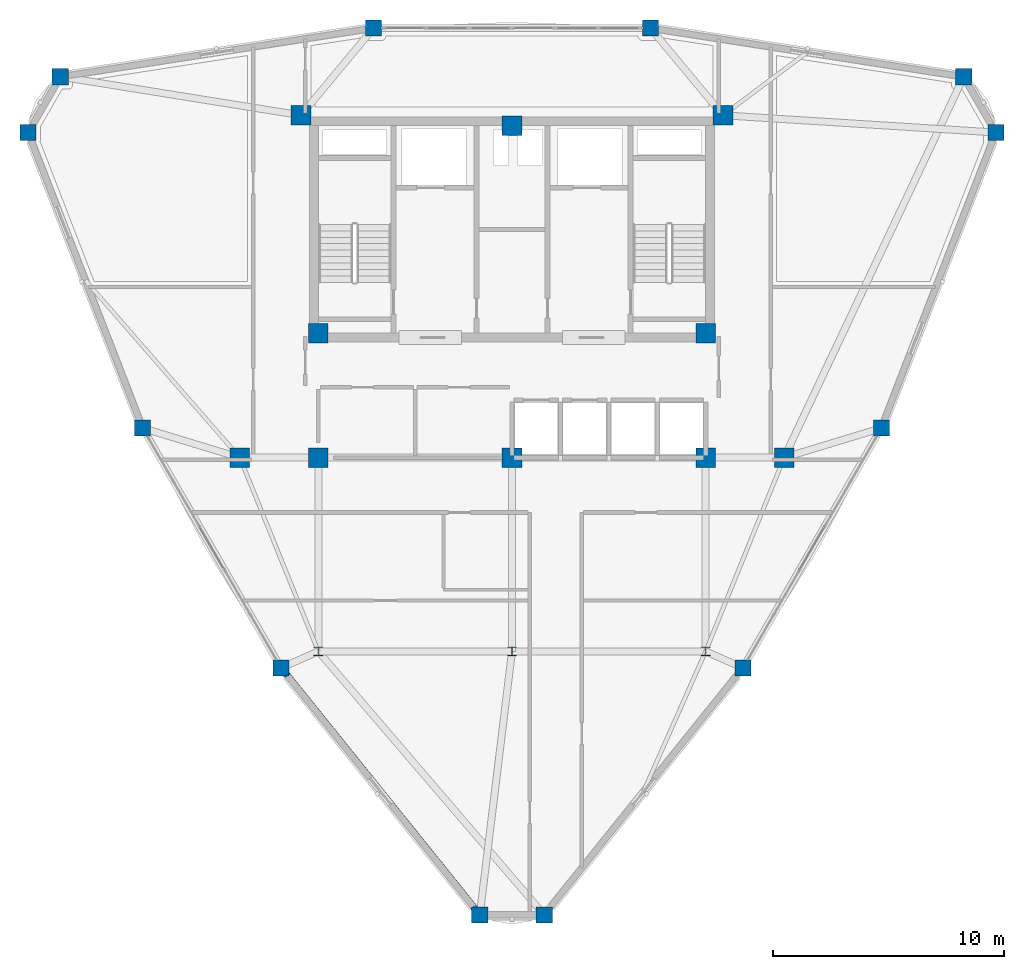
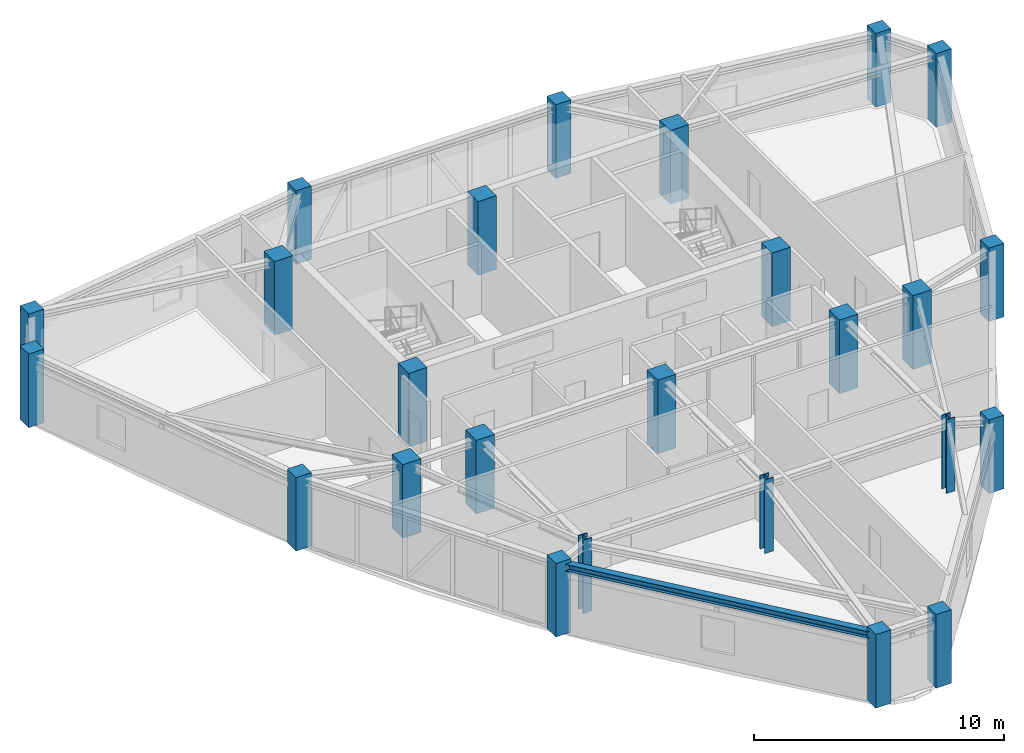
# One storey, part 1 of 15: 25 columns, 1 beam.
"""IFC4 building model written with IfcOpenShell, lengths in metres."""

from ifc_helpers import new_model, si_unit, derived_unit, direction, frame, origin, origin_2d, place, context, subcontext, project, spatial, rectangle, i_section, extrude, source, transform, mapped, material, material_profile, profile_set, type_object, element, save


model = new_model("IFC4")

# Units and contexts
model_context = context("Model", 3, precision=1e-05, world=origin(), true_north=direction((0.0, 1.0)))
body_context = subcontext(model_context, "Body", "Model", "MODEL_VIEW")
ifc_project = project(units=[si_unit("LENGTHUNIT", "METRE"), si_unit("AREAUNIT", "SQUARE_METRE"), si_unit("VOLUMEUNIT", "CUBIC_METRE"), si_unit("PLANEANGLEUNIT", "RADIAN"), si_unit("MASSUNIT", "GRAM", prefix="KILO"), derived_unit("THERMALTRANSMITTANCEUNIT", [(si_unit("POWERUNIT", "WATT"), 1), (si_unit("LENGTHUNIT", "METRE"), -2), (si_unit("THERMODYNAMICTEMPERATUREUNIT", "KELVIN"), -1)])], contexts=[model_context])

# Site, building, storey
site_placement = place(None, origin())
site = spatial("IfcSite", under=ifc_project, at=site_placement, CompositionType="ELEMENT")
building_placement = place(site_placement, origin())
building = spatial("IfcBuilding", under=site, at=building_placement, Name="Korsvarv Bourse and Concert Hall", CompositionType="ELEMENT")
storey_placement = place(building_placement, frame((0.0, 0.0, 246.60009765625)))
storey = spatial("IfcBuildingStorey", under=building, at=storey_placement, Name="L64", CompositionType="ELEMENT", Elevation=246.60009765625)

# Columns
ifc_material_1 = material(Name="Concrete C50/60", Category="concrete")
ifc_material_profile_1 = material_profile(ifc_material_1, rectangle(XDim=0.85009765625, YDim=0.85009765625, at=origin_2d()), Name="RC 850x850")
ifc_profile_set_1 = profile_set([ifc_material_profile_1], Name="Concrete C50/60")
column_type_1 = type_object("IfcColumnType", Name="COL-RC850", PredefinedType="COLUMN", material=ifc_profile_set_1)
shared_shape_1 = source(origin(), body_context, "Body", "SweptSolid", [
    extrude(rectangle(XDim=0.85009765625, YDim=0.85009765625, at=origin_2d()), origin(), (0.0, 0.0, 1.0), 3.599853515625),
])
for number, where, z_axis, x_axis, name in (
    (1, (26.85009765625, 47.25, 0.0), (0.0, 0.0, 1.0), (1.0, 0.0, 0.0), "L64 column C-04"),
    (2, (45.14990234375, 47.25, 0.0), (0.0, 0.0, 1.0), (1.0, 0.0, 0.0), "L64 column C-04"),
    (3, (27.60009765625, 37.800048828125, 0.0), (0.0, 0.0, 1.0), (1.0, 0.0, 0.0), "L64 column C-04"),
    (4, (44.39990234375, 37.800048828125, 0.0), (0.0, 0.0, 1.0), (1.0, 0.0, 0.0), "L64 column C-04"),
    (5, (27.60009765625, 32.39990234375, 0.0), (0.0, 0.0, 1.0), (1.0, 0.0, 0.0), "L64 column C-04"),
    (6, (44.39990234375, 32.39990234375, 0.0), (0.0, 0.0, 1.0), (1.0, 0.0, 0.0), "L64 column C-04"),
    (7, (36.0, 46.800048828125, 0.0), (0.0, 0.0, 1.0), (1.0, 0.0, 0.0), "L64 column C-04"),
    (8, (36.0, 32.39990234375, 0.0), (0.0, 0.0, 1.0), (1.0, 0.0, 0.0), "L64 column C-04"),
    (9, (24.199951171875, 32.39990234375, 0.0), (0.0, 0.0, 1.0), (1.0, 0.0, 0.0), "L64 column C-04"),
    (10, (47.800048828125, 32.39990234375, 0.0), (0.0, 0.0, 1.0), (1.0, 0.0, 0.0), "L64 column C-04"),
):
    element("IfcColumn", number, at=place(storey_placement, frame(where, z_axis=z_axis, x_axis=x_axis)), inside=storey, type_object=column_type_1, Name=name, PredefinedType="COLUMN", context=body_context, shape_type="MappedRepresentation", body=[
        mapped(shared_shape_1, transform((0.0, 0.0, 0.0), scale=1.0)),
    ])
ifc_material_2 = material(Name="Steel S355", Category="steel")
ifc_material_profile_2 = material_profile(ifc_material_2, i_section(OverallWidth=0.40087890625, OverallDepth=0.39892578125, WebThickness=0.0224609375, FlangeThickness=0.035888671875, FilletRadius=0.014892578125, at=origin_2d()), Name="HD 400x314")
ifc_profile_set_2 = profile_set([ifc_material_profile_2], Name="Steel S355")
column_type_2 = type_object("IfcColumnType", Name="COL-HD314", PredefinedType="COLUMN", material=ifc_profile_set_2)
shared_shape_2 = source(origin(), body_context, "Body", "SweptSolid", [
    extrude(i_section(OverallWidth=0.40087890625, OverallDepth=0.39892578125, WebThickness=0.0224609375, FlangeThickness=0.035888671875, FilletRadius=0.014892578125, at=origin_2d()), origin(), (0.0, 0.0, 1.0), 3.599853515625),
])
for number, where, z_axis, x_axis, name in (
    (11, (27.60009765625, 24.0, 0.0), (0.0, 0.0, 1.0), (1.0, 0.0, 0.0), "L64 column C-11"),
    (12, (44.39990234375, 24.0, 0.0), (0.0, 0.0, 1.0), (1.0, 0.0, 0.0), "L64 column C-11"),
    (13, (36.0, 24.0, 0.0), (0.0, 0.0, 1.0), (1.0, 0.0, 0.0), "L64 column C-11"),
):
    element("IfcColumn", number, at=place(storey_placement, frame(where, z_axis=z_axis, x_axis=x_axis)), inside=storey, type_object=column_type_2, Name=name, PredefinedType="COLUMN", context=body_context, shape_type="MappedRepresentation", body=[
        mapped(shared_shape_2, transform((0.0, 0.0, 0.0), scale=1.0)),
    ])
ifc_material_profile_3 = material_profile(ifc_material_1, rectangle(XDim=0.699951171875, YDim=0.699951171875, at=origin_2d()), Name="RC 700x700")
ifc_profile_set_3 = profile_set([ifc_material_profile_3], Name="Concrete C50/60")
column_type_3 = type_object("IfcColumnType", Name="COL-RC700", PredefinedType="COLUMN", material=ifc_profile_set_3)
shared_shape_3 = source(origin(), body_context, "Body", "SweptSolid", [
    extrude(rectangle(XDim=0.699951171875, YDim=0.699951171875, at=origin_2d()), origin(), (0.0, 0.0, 1.0), 3.599853515625),
])
for number, where, z_axis, x_axis, name in (
    (14, (56.98779296875, 46.503662109375, 0.0), (0.0, 0.0, 1.0), (1.0, 0.0, 0.0), "L64 column C-05"),
    (15, (55.59033203125, 48.924072265625, 0.0), (0.0, 0.0, 1.0), (1.0, 0.0, 0.0), "L64 column C-05"),
    (16, (42.00439453125, 51.03271484375, 0.0), (0.0, 0.0, 1.0), (1.0, 0.0, 0.0), "L64 column C-05"),
    (17, (29.99560546875, 51.03271484375, 0.0), (0.0, 0.0, 1.0), (1.0, 0.0, 0.0), "L64 column C-05"),
    (18, (16.40966796875, 48.924072265625, 0.0), (0.0, 0.0, 1.0), (1.0, 0.0, 0.0), "L64 column C-05"),
    (19, (15.01220703125, 46.503662109375, 0.0), (0.0, 0.0, 1.0), (1.0, 0.0, 0.0), "L64 column C-05"),
    (20, (19.97900390625, 33.68359375, 0.0), (0.0, 0.0, 1.0), (1.0, 0.0, 0.0), "L64 column C-05"),
    (21, (25.9833984375, 23.28369140625, 0.0), (0.0, 0.0, 1.0), (1.0, 0.0, 0.0), "L64 column C-05"),
    (22, (34.6025390625, 12.572265625, 0.0), (0.0, 0.0, 1.0), (1.0, 0.0, 0.0), "L64 column C-05"),
    (23, (37.3974609375, 12.572265625, 0.0), (0.0, 0.0, 1.0), (1.0, 0.0, 0.0), "L64 column C-05"),
    (24, (46.0166015625, 23.28369140625, 0.0), (0.0, 0.0, 1.0), (1.0, 0.0, 0.0), "L64 column C-05"),
    (25, (52.02099609375, 33.68359375, 0.0), (0.0, 0.0, 1.0), (1.0, 0.0, 0.0), "L64 column C-05"),
):
    element("IfcColumn", number, at=place(storey_placement, frame(where, z_axis=z_axis, x_axis=x_axis)), inside=storey, type_object=column_type_3, Name=name, PredefinedType="COLUMN", context=body_context, shape_type="MappedRepresentation", body=[
        mapped(shared_shape_3, transform((0.0, 0.0, 0.0), scale=1.0)),
    ])

# Beam
ifc_material_profile_4 = material_profile(ifc_material_2, i_section(OverallWidth=0.300048828125, OverallDepth=0.330078125, WebThickness=0.009521484375, FlangeThickness=0.0166015625, FilletRadius=0.02099609375, at=origin_2d()), Name="HEA 340")
ifc_profile_set_4 = profile_set([ifc_material_profile_4], Name="Steel S355")
beam_type = type_object("IfcBeamType", Name="BM-HEA340", PredefinedType="BEAM", material=ifc_profile_set_4)
shared_shape_4 = source(origin(), body_context, "Body", "SweptSolid", [
    extrude(i_section(OverallWidth=0.300048828125, OverallDepth=0.330078125, WebThickness=0.009521484375, FlangeThickness=0.0166015625, FilletRadius=0.02099609375, at=origin_2d()), origin(), (0.0, 0.0, 1.0), 13.74853515625),
])
beam_placement = place(storey_placement, frame((25.9833984375, 23.28369140625, 3.244873046875), z_axis=(0.626910047977, -0.77909164528, 0.0), x_axis=(0.77909164528, 0.626910047977, 0.0)))
element("IfcBeam", 26, at=beam_placement, inside=storey, type_object=beam_type, Name="L64 beam B-12", PredefinedType="BEAM", context=body_context, shape_type="MappedRepresentation", body=[
    mapped(shared_shape_4, transform((0.0, 0.0, 0.0), scale=1.0)),
])

save(model, "model.ifc")
